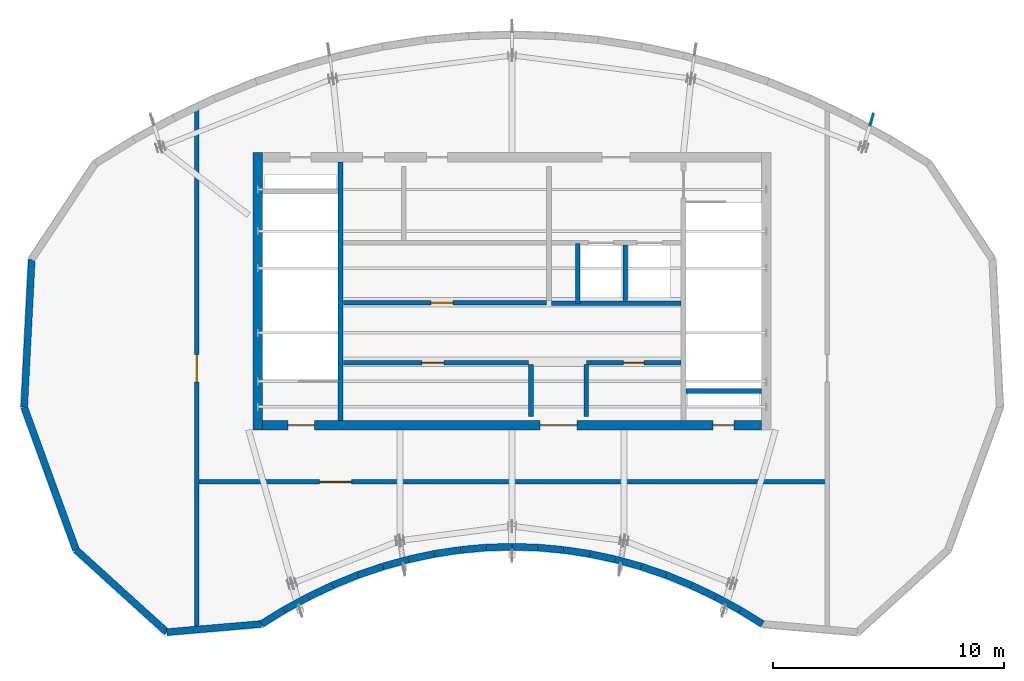
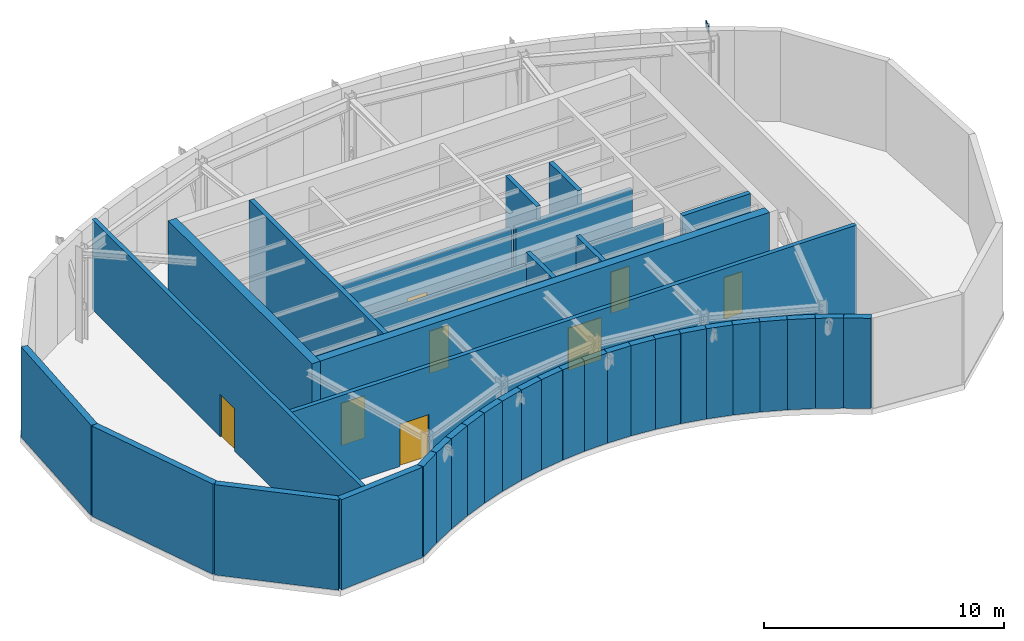
# One storey, part 4 of 6: 38 walls, 8 doors, 1 plate, 8 openings.
"""IFC4 building model written with IfcOpenShell, lengths in metres."""

import ifcopenshell
import ifcopenshell.guid

model = None  # the IFC model being written
_history = None  # IfcOwnerHistory: only IFC2X3 demands one
_inside = {}  # id of a spatial element -> (the spatial element, [elements in it])
_under = {}  # id of a project, library or spatial element -> (it, [spatial elements below it])
_declared = {}  # id of a project -> (the project, [libraries it declares])
_typed = {}  # id of a type object -> (the type object, [elements of that type])
_made_of = {}  # id of a material, layer set ... -> (it, [elements and type objects made of it])


def new_model(schema):
    """Start an empty IFC model of exactly this schema.

    Asked for "IFC4X3", IfcOpenShell would pick the latest addendum, in which some entities
    have other attributes; the version numbers below select the first issue.
    IFC2X3 requires an IfcOwnerHistory on every rooted entity: one is made here for all.
    """
    global model, _history
    if schema == "IFC4X3":
        model = ifcopenshell.file(schema_version=(4, 3, 0, 0))
    else:
        model = ifcopenshell.file(schema=schema)
    _inside.clear()
    _under.clear()
    _declared.clear()
    _typed.clear()
    _made_of.clear()
    _history = None
    if model.schema == "IFC2X3":
        org = make("IfcOrganization", Name="unknown")
        user = make(
            "IfcPersonAndOrganization",
            ThePerson=make("IfcPerson", FamilyName="unknown"),
            TheOrganization=org,
        )
        app = make(
            "IfcApplication",
            ApplicationDeveloper=org,
            Version="unknown",
            ApplicationFullName="unknown",
            ApplicationIdentifier="unknown",
        )
        _history = make(
            "IfcOwnerHistory",
            OwningUser=user,
            OwningApplication=app,
            ChangeAction="ADDED",
            CreationDate=0,
        )
    return model


def make(cls, **values):
    """One entity of the class cls with the attributes given. An attribute that is None is left unset."""
    return model.create_entity(
        cls, **{name: value for name, value in values.items() if value is not None}
    )


def rooted(cls, **values):
    """An entity with a GlobalId (a new one), such as an element, a storey or a relation."""
    return make(cls, GlobalId=ifcopenshell.guid.new(), OwnerHistory=_history, **values)


def si_unit(unit_type, name, prefix=None):
    """IfcSIUnit, for example si_unit("LENGTHUNIT", "METRE", prefix="MILLI")."""
    return make("IfcSIUnit", UnitType=unit_type, Prefix=prefix, Name=name)


def assignment(units):
    """IfcUnitAssignment: the units of a project."""
    return None if units is None else make("IfcUnitAssignment", Units=units)


def point(xyz):
    """IfcCartesianPoint."""
    return None if xyz is None else make("IfcCartesianPoint", Coordinates=xyz)


def direction(xyz):
    """IfcDirection."""
    return None if xyz is None else make("IfcDirection", DirectionRatios=xyz)


def frame(location, z_axis=None, x_axis=None):
    """IfcAxis2Placement3D, a coordinate frame: its origin and axes. An axis left out is left unset."""
    return make(
        "IfcAxis2Placement3D",
        Location=point(location),
        Axis=direction(z_axis),
        RefDirection=direction(x_axis),
    )


def frame_2d(location, x_axis=None):
    """IfcAxis2Placement2D, a coordinate frame in the plane: its origin and x axis."""
    return make(
        "IfcAxis2Placement2D", Location=point(location), RefDirection=direction(x_axis)
    )


def origin():
    """The frame at (0, 0, 0) with its axes left unset."""
    return frame((0.0, 0.0, 0.0))


def origin_2d():
    """The frame at (0, 0) in the plane with its x axis left unset."""
    return frame_2d((0.0, 0.0))


def place(relative_to, where):
    """IfcLocalPlacement: puts the frame where relative to a parent placement (None: the world)."""
    return make(
        "IfcLocalPlacement", PlacementRelTo=relative_to, RelativePlacement=where
    )


def context(
    kind, dimensions, precision=None, world=None, true_north=None, identifier=None
):
    """IfcGeometricRepresentationContext, for example the 3D "Model" context."""
    return make(
        "IfcGeometricRepresentationContext",
        ContextIdentifier=identifier,
        ContextType=kind,
        CoordinateSpaceDimension=dimensions,
        Precision=precision,
        WorldCoordinateSystem=world,
        TrueNorth=true_north,
    )


def subcontext(parent, identifier, kind, view, scale=None):
    """IfcGeometricRepresentationSubContext, for example "Body" below "Model"."""
    return make(
        "IfcGeometricRepresentationSubContext",
        ContextIdentifier=identifier,
        ContextType=kind,
        ParentContext=parent,
        TargetScale=scale,
        TargetView=view,
    )


def project(units=None, contexts=None):
    """IfcProject with its units and contexts."""
    return rooted(
        "IfcProject",
        Name="project",
        RepresentationContexts=contexts,
        UnitsInContext=assignment(units),
    )


def spatial(cls, under=None, at=None, **own):
    """A site, building, storey or space (cls), placed at a placement, below another one or the project."""
    s = rooted(cls, ObjectPlacement=at, **own)
    if under is not None:
        _under.setdefault(under.id(), (under, []))[1].append(s)
    return s


def profile(cls, at=None, kind="AREA", **sizes):
    """A parametric profile (cls). Its sizes go by their IFC names, for example OverallWidth=200.0."""
    return make(cls, ProfileType=kind, Position=at, **sizes)


def rectangle(**sizes):
    """IfcRectangleProfileDef."""
    return profile("IfcRectangleProfileDef", **sizes)


def extrude(swept, where, along, depth):
    """IfcExtrudedAreaSolid: the profile swept, set in the frame where, extruded along a direction by depth."""
    return make(
        "IfcExtrudedAreaSolid",
        SweptArea=swept,
        Position=where,
        ExtrudedDirection=direction(along),
        Depth=depth,
    )


def shape(context_of_items, identifier, shape_type, items):
    """IfcShapeRepresentation: the items that make up one representation, for example the "Body"."""
    return make(
        "IfcShapeRepresentation",
        ContextOfItems=context_of_items,
        RepresentationIdentifier=identifier,
        RepresentationType=shape_type,
        Items=items,
    )


def source(mapping_origin, context_of_items, identifier, shape_type, items):
    """IfcRepresentationMap: a shape defined once, which mapped items show again and again."""
    return make(
        "IfcRepresentationMap",
        MappingOrigin=mapping_origin,
        MappedRepresentation=shape(context_of_items, identifier, shape_type, items),
    )


def transform(
    local_origin,
    x_axis=None,
    y_axis=None,
    z_axis=None,
    scale=None,
    scale2=None,
    scale3=None,
    uniform=True,
):
    """IfcCartesianTransformationOperator3D, or its non-uniform kind. x_axis, y_axis, z_axis: its Axis1, 2, 3."""
    if uniform:
        return make(
            "IfcCartesianTransformationOperator3D",
            Axis1=direction(x_axis),
            Axis2=direction(y_axis),
            LocalOrigin=point(local_origin),
            Scale=scale,
            Axis3=direction(z_axis),
        )
    return make(
        "IfcCartesianTransformationOperator3DnonUniform",
        Axis1=direction(x_axis),
        Axis2=direction(y_axis),
        LocalOrigin=point(local_origin),
        Scale=scale,
        Axis3=direction(z_axis),
        Scale2=scale2,
        Scale3=scale3,
    )


def mapped(mapping_source, mapping_target):
    """IfcMappedItem: shows the shape of a source again, moved by a transform."""
    return make(
        "IfcMappedItem", MappingSource=mapping_source, MappingTarget=mapping_target
    )


def material(Name=None, Category=None):
    """IfcMaterial."""
    return make("IfcMaterial", Name=Name, Category=Category)


def layer(
    of_material, thickness, ventilated=None, Name=None, Category=None, Priority=None
):
    """IfcMaterialLayer: one layer of a wall or slab, of a material (None: an air gap)."""
    return make(
        "IfcMaterialLayer",
        Material=of_material,
        LayerThickness=thickness,
        IsVentilated=ventilated,
        Name=Name,
        Category=Category,
        Priority=Priority,
    )


def layer_set(layers, Name=None):
    """IfcMaterialLayerSet."""
    return make("IfcMaterialLayerSet", MaterialLayers=layers, LayerSetName=Name)


def made_of(thing, what):
    """Note that an element or type object is made of a material, layer set ...; save() writes the relation."""
    if what is not None:
        _made_of.setdefault(what.id(), (what, []))[1].append(thing)
    return thing


def type_object(cls, material=None, **own):
    """A type object (cls), such as IfcWallType, which elements share."""
    return made_of(rooted(cls, **own), material)


def type_shapes(of_type, sources):
    """Give a type object the sources (RepresentationMaps) that its elements show as mapped items."""
    of_type.RepresentationMaps = sources


def element(
    cls,
    number,
    at=None,
    inside=None,
    cuts=None,
    type_object=None,
    material=None,
    context=None,
    identifier="Body",
    shape_type=None,
    held_by="IfcProductDefinitionShape",
    body=None,
    shapes=None,
    **own,
):
    """One element of the class cls, such as IfcWall. Its Tag is "e" and its number.

    at: its placement. inside: the storey or other place that contains it. cuts: it is an
    opening in that element (IfcRelVoidsElement). A single representation is given by context,
    identifier, shape_type and body (its items); several are given by shapes. held_by: the class
    of the entity that holds the representations. save() writes the other relations.
    """
    e = rooted(cls, Tag="e%d" % number, ObjectPlacement=at, **own)
    if body is not None:
        shapes = [shape(context, identifier, shape_type, body)]
    if shapes is not None:
        e.Representation = make(held_by, Representations=shapes)
    if inside is not None:
        _inside.setdefault(inside.id(), (inside, []))[1].append(e)
    if cuts is not None:
        rooted(
            "IfcRelVoidsElement", RelatingBuildingElement=cuts, RelatedOpeningElement=e
        )
    if type_object is not None:
        _typed.setdefault(type_object.id(), (type_object, []))[1].append(e)
    return made_of(e, material)


def fill(opening, filler):
    """IfcRelFillsElement: the door or window that sits in an opening."""
    return rooted(
        "IfcRelFillsElement",
        RelatingOpeningElement=opening,
        RelatedBuildingElement=filler,
    )


def aggregate(whole, parts):
    """IfcRelAggregates: a whole, such as a stair, and the parts it consists of."""
    return rooted("IfcRelAggregates", RelatingObject=whole, RelatedObjects=parts)


def save(model, path):
    """Write the relations noted so far, then the file.

    IfcRelAggregates (storeys below a building ...), IfcRelContainedInSpatialStructure (elements
    in a storey), IfcRelDefinesByType, IfcRelAssociatesMaterial and IfcRelDeclares: one each for
    every whole, place, type object, material and project.
    """
    for whole, parts in _under.values():
        aggregate(whole, parts)
    for where, things in _inside.values():
        rooted(
            "IfcRelContainedInSpatialStructure",
            RelatedElements=things,
            RelatingStructure=where,
        )
    for kind, things in _typed.values():
        rooted("IfcRelDefinesByType", RelatedObjects=things, RelatingType=kind)
    for what, things in _made_of.values():
        rooted("IfcRelAssociatesMaterial", RelatedObjects=things, RelatingMaterial=what)
    for by, libraries in _declared.values():
        rooted("IfcRelDeclares", RelatingContext=by, RelatedDefinitions=libraries)
    model.write(path)


model = new_model("IFC4")

# Units and contexts
model_context = context("Model", 3, precision=1e-05, world=origin(), true_north=direction((0.0, 1.0)))
body_context = subcontext(model_context, "Body", "Model", "MODEL_VIEW")
ifc_project = project(units=[si_unit("LENGTHUNIT", "METRE"), si_unit("AREAUNIT", "SQUARE_METRE"), si_unit("VOLUMEUNIT", "CUBIC_METRE"), si_unit("PLANEANGLEUNIT", "RADIAN"), si_unit("MASSUNIT", "GRAM", prefix="KILO")], contexts=[model_context])

# Site, building, storey
site_placement = place(None, origin())
site = spatial("IfcSite", under=ifc_project, at=site_placement, CompositionType="ELEMENT")
building_placement = place(site_placement, origin())
building = spatial("IfcBuilding", under=site, at=building_placement, Name="Breltana Convention Tower", CompositionType="ELEMENT")
storey_placement = place(building_placement, frame((0.0, 0.0, 323.39990234375)))
storey = spatial("IfcBuildingStorey", under=building, at=storey_placement, Name="L78", CompositionType="ELEMENT", Elevation=323.39990234375)

# Plate
ifc_material_1 = material(Name="Steel S355", Category="steel")
ifc_layer_1 = layer(ifc_material_1, 0.0400390625, Name="Steel S355")
ifc_layer_set_1 = layer_set([ifc_layer_1], Name="Steel S355")
plate_type = type_object("IfcPlateType", Name="PL-GUSSET-40", PredefinedType="USERDEFINED", material=ifc_layer_set_1)
shared_shape_1 = source(origin(), body_context, "Body", "SweptSolid", [
    extrude(rectangle(XDim=0.52001953125, YDim=0.0400390625, at=origin_2d()), origin(), (0.0, 0.0, 1.0), 0.360107421875),
])
plate_placement = place(storey_placement, frame((63.56494140625, 73.622802734375, 4.22998046875), z_axis=(0.0, 0.0, 1.0), x_axis=(0.288697611798, 0.957420330337, 0.0)))
element("IfcPlate", 1, at=plate_placement, inside=storey, type_object=plate_type, Name="L78 Structural Brace Node Gusset Plate 020", ObjectType="GUSSET_PLATE", PredefinedType="USERDEFINED", context=body_context, shape_type="MappedRepresentation", body=[
    mapped(shared_shape_1, transform((0.0, 0.0, 0.0), scale=1.0)),
])

# Walls
ifc_material_2 = material(Name="Concrete C50/60", Category="concrete")
ifc_layer_2 = layer(ifc_material_2, 0.39990234375, Name="Concrete C50/60")
ifc_layer_set_2 = layer_set([ifc_layer_2], Name="Concrete C50/60")
wall_type_1 = type_object("IfcWallType", Name="SW-CORE-400", PredefinedType="SHEAR", material=ifc_layer_set_2)
shared_shape_2 = source(origin(), body_context, "Body", "SweptSolid", [
    extrude(rectangle(XDim=3.27001953125, YDim=0.219970703125, at=frame_2d((1.635009765625, 0.0))), origin(), (0.0, 0.0, 1.0), 4.800048828125),
])
wall_1_placement = place(storey_placement, frame((55.530029296875, 61.889892578125, 0.0), z_axis=(0.0, 0.0, 1.0), x_axis=(1.0, 0.0, 0.0)))
element("IfcWall", 2, at=wall_1_placement, inside=storey, type_object=wall_type_1, Name="L78 ST-2 Stairwell South Bearing Wall", PredefinedType="SHEAR", context=body_context, shape_type="MappedRepresentation", body=[
    mapped(shared_shape_2, transform((0.0, 0.0, 0.0), scale=1.0)),
])
shared_shape_3 = source(origin(), body_context, "Body", "SweptSolid", [
    extrude(rectangle(XDim=12.0, YDim=0.39990234375, at=frame_2d((6.0, 0.0))), origin(), (0.0, 0.0, 1.0), 4.800048828125),
])
wall_2_placement = place(storey_placement, frame((37.0, 60.199951171875, 0.0), z_axis=(0.0, 0.0, 1.0), x_axis=(0.0, 1.0, 0.0)))
element("IfcWall", 3, at=wall_2_placement, inside=storey, type_object=wall_type_1, Name="L78 West Core Shear Wall", PredefinedType="SHEAR", context=body_context, shape_type="MappedRepresentation", body=[
    mapped(shared_shape_3, transform((0.0, 0.0, 0.0), scale=1.0)),
])

# Wall, openings, doors
shared_shape_4 = source(origin(), body_context, "Body", "SweptSolid", [
    extrude(rectangle(XDim=21.60009765625, YDim=0.39990234375, at=frame_2d((10.800048828125, 0.0))), origin(), (0.0, 0.0, 1.0), 4.800048828125),
])
wall_3_placement = place(storey_placement, frame((37.199951171875, 60.39990234375, 0.0), z_axis=(0.0, 0.0, 1.0), x_axis=(1.0, 0.0, 0.0)))
wall_3 = element("IfcWall", 4, at=wall_3_placement, inside=storey, type_object=wall_type_1, Name="L78 South Core Shear Wall", PredefinedType="SHEAR", context=body_context, shape_type="MappedRepresentation", body=[
    mapped(shared_shape_4, transform((0.0, 0.0, 0.0), scale=1.0)),
])
opening_1_placement = place(wall_3_placement, frame((1.10009765625, 0.0, 0.0)))
opening_1 = element("IfcOpeningElement", 5, at=opening_1_placement, cuts=wall_3, Name="Opening D-11", PredefinedType="OPENING", context=body_context, shape_type="SweptSolid", body=[
    extrude(rectangle(XDim=1.14990234375, YDim=2.14990234375, at=frame_2d((0.574951171875, 1.074951171875))), frame((0.0, 0.2099609375, 0.0), z_axis=(0.0, -1.0, 0.0), x_axis=(1.0, 0.0, 0.0)), (0.0, 0.0, 1.0), 0.419921875),
])
opening_2_placement = place(wall_3_placement, frame((19.5, 0.0, 0.0)))
opening_2 = element("IfcOpeningElement", 6, at=opening_2_placement, cuts=wall_3, Name="Opening D-18", PredefinedType="OPENING", context=body_context, shape_type="SweptSolid", body=[
    extrude(rectangle(XDim=0.89990234375, YDim=2.10009765625, at=frame_2d((0.449951171875, 1.050048828125))), frame((0.0, 0.2099609375, 0.0), z_axis=(0.0, -1.0, 0.0), x_axis=(1.0, 0.0, 0.0)), (0.0, 0.0, 1.0), 0.419921875),
])
opening_3_placement = place(wall_3_placement, frame((12.02001953125, 0.0, 0.0)))
opening_3 = element("IfcOpeningElement", 7, at=opening_3_placement, cuts=wall_3, Name="Opening D-02", PredefinedType="OPENING", context=body_context, shape_type="SweptSolid", body=[
    extrude(rectangle(XDim=1.60009765625, YDim=2.14990234375, at=frame_2d((0.800048828125, 1.074951171875))), frame((0.0, 0.2099609375, 0.0), z_axis=(0.0, -1.0, 0.0), x_axis=(1.0, 0.0, 0.0)), (0.0, 0.0, 1.0), 0.419921875),
])
ifc_material_3 = material(Name="Steel Stair Exit Door", Category="steel")
door_type_1 = type_object("IfcDoorType", Name="DR-FD120-1150", OperationType="NOTDEFINED", PredefinedType="DOOR", material=ifc_material_3)
shared_shape_5 = source(origin(), body_context, "Body", "SweptSolid", [
    extrude(rectangle(XDim=1.14990234375, YDim=2.14990234375, at=frame_2d((0.574951171875, 1.074951171875))), frame((0.0, 0.02490234375, 0.0), z_axis=(0.0, -1.0, 0.0), x_axis=(1.0, 0.0, 0.0)), (0.0, 0.0, 1.0), 0.050048828125),
])
type_shapes(door_type_1, [shared_shape_5])
door_1_placement = place(opening_1_placement, origin())
door_1 = element("IfcDoor", 8, at=door_1_placement, inside=storey, type_object=door_type_1, Name="L78 interior door D-L78-ST1", OperationType="SINGLE_SWING_LEFT", OverallHeight=2.14990234375, OverallWidth=1.14990234375, PredefinedType="DOOR", context=body_context, shape_type="MappedRepresentation", body=[
    mapped(shared_shape_5, transform((0.0, 0.0, 0.0), scale=1.0)),
])
fill(opening_1, door_1)
ifc_material_4 = material(Name="Steel Riser Fire Door", Category="steel")
door_type_2 = type_object("IfcDoorType", Name="DR-FD60-900", OperationType="NOTDEFINED", PredefinedType="DOOR", material=ifc_material_4)
shared_shape_6 = source(origin(), body_context, "Body", "SweptSolid", [
    extrude(rectangle(XDim=0.89990234375, YDim=2.10009765625, at=frame_2d((0.449951171875, 1.050048828125))), frame((0.0, 0.02490234375, 0.0), z_axis=(0.0, -1.0, 0.0), x_axis=(1.0, 0.0, 0.0)), (0.0, 0.0, 1.0), 0.050048828125),
])
type_shapes(door_type_2, [shared_shape_6])
door_2_placement = place(opening_2_placement, origin())
door_2 = element("IfcDoor", 9, at=door_2_placement, inside=storey, type_object=door_type_2, Name="L78 Core Riser Access Door D-L78-RS2", OperationType="SINGLE_SWING_RIGHT", OverallHeight=2.10009765625, OverallWidth=0.89990234375, PredefinedType="DOOR", context=body_context, shape_type="MappedRepresentation", body=[
    mapped(shared_shape_6, transform((0.0, 0.0, 0.0), scale=1.0)),
])
fill(opening_2, door_2)
ifc_material_5 = material(Name="Steel Glazed Smoke-Control Door", Category="steel")
door_type_3 = type_object("IfcDoorType", Name="DR-DBL-FD90-1600", OperationType="DOUBLE_DOOR_SINGLE_SWING", PredefinedType="DOOR", material=ifc_material_5)
shared_shape_7 = source(origin(), body_context, "Body", "SweptSolid", [
    extrude(rectangle(XDim=1.60009765625, YDim=2.14990234375, at=frame_2d((0.800048828125, 1.074951171875))), frame((0.0, 0.02490234375, 0.0), z_axis=(0.0, -1.0, 0.0), x_axis=(1.0, 0.0, 0.0)), (0.0, 0.0, 1.0), 0.050048828125),
])
type_shapes(door_type_3, [shared_shape_7])
door_3_placement = place(opening_3_placement, origin())
door_3 = element("IfcDoor", 10, at=door_3_placement, inside=storey, type_object=door_type_3, Name="L78 interior door D-L78-LLB-S", OperationType="DOUBLE_DOOR_SINGLE_SWING", OverallHeight=2.14990234375, OverallWidth=1.60009765625, PredefinedType="DOOR", context=body_context, shape_type="MappedRepresentation", body=[
    mapped(shared_shape_7, transform((0.0, 0.0, 0.0), scale=1.0)),
])
fill(opening_3, door_3)

# Walls
shared_shape_8 = source(origin(), body_context, "Body", "SweptSolid", [
    extrude(rectangle(XDim=11.199951171875, YDim=0.219970703125, at=frame_2d((5.60009765625, 0.0))), origin(), (0.0, 0.0, 1.0), 4.800048828125),
])
wall_4_placement = place(storey_placement, frame((40.580078125, 60.60009765625, 0.0), z_axis=(0.0, 0.0, 1.0), x_axis=(0.0, 1.0, 0.0)))
element("IfcWall", 11, at=wall_4_placement, inside=storey, type_object=wall_type_1, Name="L78 Core West Stair Spine Wall", PredefinedType="SHEAR", context=body_context, shape_type="MappedRepresentation", body=[
    mapped(shared_shape_8, transform((0.0, 0.0, 0.0), scale=1.0)),
])
ifc_material_6 = material(Name="Limestone Buff Insulated Wall", Category="masonry")
ifc_layer_3 = layer(ifc_material_6, 0.300048828125, Name="Limestone Buff Insulated Wall")
ifc_layer_set_3 = layer_set([ifc_layer_3], Name="Limestone Buff Insulated Wall")
wall_type_2 = type_object("IfcWallType", Name="WL-EXT-CRN-300", PredefinedType="SOLIDWALL", material=ifc_layer_set_3)
shared_shape_9 = source(origin(), body_context, "Body", "SweptSolid", [
    extrude(rectangle(XDim=6.39990234375, YDim=0.300048828125, at=frame_2d((3.199951171875, 0.0))), origin(), (0.0, 0.0, 1.0), 4.590087890625),
])
wall_5_placement = place(storey_placement, frame((26.893310546875, 61.183349609375, 0.0), z_axis=(0.0, 0.0, 1.0), x_axis=(0.050888906156, 0.998704320222, 0.0)))
element("IfcWall", 12, at=wall_5_placement, inside=storey, type_object=wall_type_2, Name="L78 mechanical limestone enclosure wall 48", PredefinedType="SOLIDWALL", context=body_context, shape_type="MappedRepresentation", body=[
    mapped(shared_shape_9, transform((0.0, 0.0, 0.0), scale=1.0)),
])
shared_shape_10 = source(origin(), body_context, "Body", "SweptSolid", [
    extrude(rectangle(XDim=6.572998046875, YDim=0.300048828125, at=frame_2d((3.28662109375, 0.0))), origin(), (0.0, 0.0, 1.0), 4.590087890625),
])
wall_6_placement = place(storey_placement, frame((29.141357421875, 55.0068359375, 0.0), z_axis=(0.0, 0.0, 1.0), x_axis=(-0.342017422465, 0.939693611094, 0.0)))
element("IfcWall", 13, at=wall_6_placement, inside=storey, type_object=wall_type_2, Name="L78 mechanical limestone enclosure wall 47", PredefinedType="SOLIDWALL", context=body_context, shape_type="MappedRepresentation", body=[
    mapped(shared_shape_10, transform((0.0, 0.0, 0.0), scale=1.0)),
])
shared_shape_11 = source(origin(), body_context, "Body", "SweptSolid", [
    extrude(rectangle(XDim=5.2939453125, YDim=0.300048828125, at=frame_2d((2.64697265625, 0.0))), origin(), (0.0, 0.0, 1.0), 4.590087890625),
])
wall_7_placement = place(storey_placement, frame((33.0625, 51.4501953125, 0.0), z_axis=(0.0, 0.0, 1.0), x_axis=(-0.740695017527, 0.671841418052, 0.0)))
element("IfcWall", 14, at=wall_7_placement, inside=storey, type_object=wall_type_2, Name="L78 mechanical limestone enclosure wall 46", PredefinedType="SOLIDWALL", context=body_context, shape_type="MappedRepresentation", body=[
    mapped(shared_shape_11, transform((0.0, 0.0, 0.0), scale=1.0)),
])
shared_shape_12 = source(origin(), body_context, "Body", "SweptSolid", [
    extrude(rectangle(XDim=4.110595703125, YDim=0.300048828125, at=frame_2d((2.05517578125, 0.0))), origin(), (0.0, 0.0, 1.0), 4.590087890625),
])
wall_8_placement = place(storey_placement, frame((37.157958984375, 51.803466796875, 0.0), z_axis=(0.0, 0.0, 1.0), x_axis=(-0.996300298771, -0.085940180764, 0.0)))
element("IfcWall", 15, at=wall_8_placement, inside=storey, type_object=wall_type_2, Name="L78 mechanical limestone enclosure wall 45", PredefinedType="SOLIDWALL", context=body_context, shape_type="MappedRepresentation", body=[
    mapped(shared_shape_12, transform((0.0, 0.0, 0.0), scale=1.0)),
])
shared_shape_13 = source(origin(), body_context, "Body", "SweptSolid", [
    extrude(rectangle(XDim=1.1484375, YDim=0.300048828125, at=frame_2d((0.57421875, 0.0))), origin(), (0.0, 0.0, 1.0), 4.590087890625),
])
for number, where, z_axis, x_axis, name in (
    (16, (58.842041015625, 51.803466796875, 0.0), (0.0, 0.0, 1.0), (-0.851337023233, 0.524619169373, 0.0), "L78 mechanical limestone enclosure wall 6"),
    (17, (38.1357421875, 52.406005859375, 0.0), (0.0, 0.0, 1.0), (-0.851337023233, -0.524619169373, 0.0), "L78 mechanical limestone enclosure wall 44"),
):
    element("IfcWall", number, at=place(storey_placement, frame(where, z_axis=z_axis, x_axis=x_axis)), inside=storey, type_object=wall_type_2, Name=name, PredefinedType="SOLIDWALL", context=body_context, shape_type="MappedRepresentation", body=[
        mapped(shared_shape_13, transform((0.0, 0.0, 0.0), scale=1.0)),
    ])
shared_shape_14 = source(origin(), body_context, "Body", "SweptSolid", [
    extrude(rectangle(XDim=1.177490234375, YDim=0.300048828125, at=frame_2d((0.5888671875, 0.0))), origin(), (0.0, 0.0, 1.0), 4.590087890625),
])
for number, where, z_axis, x_axis, name in (
    (18, (57.855712890625, 52.410888671875, 0.0), (0.0, 0.0, 1.0), (-0.878378526195, 0.477965652238, 0.0), "L78 mechanical limestone enclosure wall 8"),
    (19, (39.178466796875, 52.9736328125, 0.0), (0.0, 0.0, 1.0), (-0.878378526195, -0.477965652238, 0.0), "L78 mechanical limestone enclosure wall 42"),
):
    element("IfcWall", number, at=place(storey_placement, frame(where, z_axis=z_axis, x_axis=x_axis)), inside=storey, type_object=wall_type_2, Name=name, PredefinedType="SOLIDWALL", context=body_context, shape_type="MappedRepresentation", body=[
        mapped(shared_shape_14, transform((0.0, 0.0, 0.0), scale=1.0)),
    ])
shared_shape_15 = source(origin(), body_context, "Body", "SweptSolid", [
    extrude(rectangle(XDim=1.164794921875, YDim=0.300048828125, at=frame_2d((0.58251953125, 0.0))), origin(), (0.0, 0.0, 1.0), 4.590087890625),
])
for number, where, z_axis, x_axis, name in (
    (20, (56.812744140625, 52.978271484375, 0.0), (0.0, 0.0, 1.0), (-0.903460211476, 0.428671956489, 0.0), "L78 mechanical limestone enclosure wall 10"),
    (21, (40.239501953125, 53.4775390625, 0.0), (0.0, 0.0, 1.0), (-0.903460211476, -0.428671956489, 0.0), "L78 mechanical limestone enclosure wall 40"),
):
    element("IfcWall", number, at=place(storey_placement, frame(where, z_axis=z_axis, x_axis=x_axis)), inside=storey, type_object=wall_type_2, Name=name, PredefinedType="SOLIDWALL", context=body_context, shape_type="MappedRepresentation", body=[
        mapped(shared_shape_15, transform((0.0, 0.0, 0.0), scale=1.0)),
    ])
shared_shape_16 = source(origin(), body_context, "Body", "SweptSolid", [
    extrude(rectangle(XDim=1.153076171875, YDim=0.300048828125, at=frame_2d((0.57666015625, 0.0))), origin(), (0.0, 0.0, 1.0), 4.590087890625),
])
for number, where, z_axis, x_axis, name in (
    (22, (55.751220703125, 53.481689453125, 0.0), (0.0, 0.0, 1.0), (-0.926166327655, 0.377115278819, 0.0), "L78 mechanical limestone enclosure wall 12"),
    (23, (41.316650390625, 53.91650390625, 0.0), (0.0, 0.0, 1.0), (-0.926166327655, -0.377115278819, 0.0), "L78 mechanical limestone enclosure wall 38"),
):
    element("IfcWall", number, at=place(storey_placement, frame(where, z_axis=z_axis, x_axis=x_axis)), inside=storey, type_object=wall_type_2, Name=name, PredefinedType="SOLIDWALL", context=body_context, shape_type="MappedRepresentation", body=[
        mapped(shared_shape_16, transform((0.0, 0.0, 0.0), scale=1.0)),
    ])
shared_shape_17 = source(origin(), body_context, "Body", "SweptSolid", [
    extrude(rectangle(XDim=1.142822265625, YDim=0.300048828125, at=frame_2d((0.5712890625, 0.0))), origin(), (0.0, 0.0, 1.0), 4.590087890625),
])
for number, where, z_axis, x_axis, name in (
    (24, (54.673583984375, 53.919921875, 0.0), (0.0, 0.0, 1.0), (-0.946329141, 0.323204512491, 0.0), "L78 mechanical limestone enclosure wall 14"),
    (25, (42.407958984375, 54.289306640625, 0.0), (0.0, 0.0, 1.0), (-0.946329141, -0.323204512491, 0.0), "L78 mechanical limestone enclosure wall 36"),
):
    element("IfcWall", number, at=place(storey_placement, frame(where, z_axis=z_axis, x_axis=x_axis)), inside=storey, type_object=wall_type_2, Name=name, PredefinedType="SOLIDWALL", context=body_context, shape_type="MappedRepresentation", body=[
        mapped(shared_shape_17, transform((0.0, 0.0, 0.0), scale=1.0)),
    ])
shared_shape_18 = source(origin(), body_context, "Body", "SweptSolid", [
    extrude(rectangle(XDim=1.134033203125, YDim=0.300048828125, at=frame_2d((0.56689453125, 0.0))), origin(), (0.0, 0.0, 1.0), 4.590087890625),
])
for number, where, z_axis, x_axis, name in (
    (26, (53.581787109375, 54.29248046875, 0.0), (0.0, 0.0, 1.0), (-0.96359189445, 0.267377375538, 0.0), "L78 mechanical limestone enclosure wall 16"),
    (27, (43.510986328125, 54.595703125, 0.0), (0.0, 0.0, 1.0), (-0.96359189445, -0.267377375538, 0.0), "L78 mechanical limestone enclosure wall 34"),
):
    element("IfcWall", number, at=place(storey_placement, frame(where, z_axis=z_axis, x_axis=x_axis)), inside=storey, type_object=wall_type_2, Name=name, PredefinedType="SOLIDWALL", context=body_context, shape_type="MappedRepresentation", body=[
        mapped(shared_shape_18, transform((0.0, 0.0, 0.0), scale=1.0)),
    ])
shared_shape_19 = source(origin(), body_context, "Body", "SweptSolid", [
    extrude(rectangle(XDim=1.127197265625, YDim=0.300048828125, at=frame_2d((0.5634765625, 0.0))), origin(), (0.0, 0.0, 1.0), 4.590087890625),
])
for number, where, z_axis, x_axis, name in (
    (28, (52.478515625, 54.598388671875, 0.0), (0.0, 0.0, 1.0), (-0.977726275961, 0.20988408538, 0.0), "L78 mechanical limestone enclosure wall 18"),
    (29, (44.62353515625, 54.8349609375, 0.0), (0.0, 0.0, 1.0), (-0.977726275961, -0.20988408538, 0.0), "L78 mechanical limestone enclosure wall 32"),
):
    element("IfcWall", number, at=place(storey_placement, frame(where, z_axis=z_axis, x_axis=x_axis)), inside=storey, type_object=wall_type_2, Name=name, PredefinedType="SOLIDWALL", context=body_context, shape_type="MappedRepresentation", body=[
        mapped(shared_shape_19, transform((0.0, 0.0, 0.0), scale=1.0)),
    ])
shared_shape_20 = source(origin(), body_context, "Body", "SweptSolid", [
    extrude(rectangle(XDim=1.121826171875, YDim=0.300048828125, at=frame_2d((0.56103515625, 0.0))), origin(), (0.0, 0.0, 1.0), 4.590087890625),
])
for number, where, z_axis, x_axis, name in (
    (30, (51.36572265625, 54.8369140625, 0.0), (0.0, 0.0, 1.0), (-0.98855964909, 0.150830435231, 0.0), "L78 mechanical limestone enclosure wall 20"),
    (31, (45.7431640625, 55.006103515625, 0.0), (0.0, 0.0, 1.0), (-0.98855964909, -0.150830435231, 0.0), "L78 mechanical limestone enclosure wall 30"),
):
    element("IfcWall", number, at=place(storey_placement, frame(where, z_axis=z_axis, x_axis=x_axis)), inside=storey, type_object=wall_type_2, Name=name, PredefinedType="SOLIDWALL", context=body_context, shape_type="MappedRepresentation", body=[
        mapped(shared_shape_20, transform((0.0, 0.0, 0.0), scale=1.0)),
    ])
shared_shape_21 = source(origin(), body_context, "Body", "SweptSolid", [
    extrude(rectangle(XDim=1.118408203125, YDim=0.300048828125, at=frame_2d((0.55908203125, 0.0))), origin(), (0.0, 0.0, 1.0), 4.590087890625),
])
for number, where, z_axis, x_axis, name in (
    (32, (50.24609375, 55.007568359375, 0.0), (0.0, 0.0, 1.0), (-0.995848352933, 0.091027786754, 0.0), "L78 mechanical limestone enclosure wall 22"),
    (33, (46.86767578125, 55.109375, 0.0), (0.0, 0.0, 1.0), (-0.995848352933, -0.091027786754, 0.0), "L78 mechanical limestone enclosure wall 28"),
):
    element("IfcWall", number, at=place(storey_placement, frame(where, z_axis=z_axis, x_axis=x_axis)), inside=storey, type_object=wall_type_2, Name=name, PredefinedType="SOLIDWALL", context=body_context, shape_type="MappedRepresentation", body=[
        mapped(shared_shape_21, transform((0.0, 0.0, 0.0), scale=1.0)),
    ])
shared_shape_22 = source(origin(), body_context, "Body", "SweptSolid", [
    extrude(rectangle(XDim=1.1162109375, YDim=0.300048828125, at=frame_2d((0.55810546875, 0.0))), origin(), (0.0, 0.0, 1.0), 4.590087890625),
])
for number, where, z_axis, x_axis, name in (
    (34, (49.121337890625, 55.110107421875, 0.0), (0.0, 0.0, 1.0), (-0.99954438408, 0.030183178338, 0.0), "L78 mechanical limestone enclosure wall 24"),
    (35, (47.994384765625, 55.143798828125, 0.0), (0.0, 0.0, 1.0), (-0.99954438408, -0.030183178338, 0.0), "L78 mechanical limestone enclosure wall 26"),
):
    element("IfcWall", number, at=place(storey_placement, frame(where, z_axis=z_axis, x_axis=x_axis)), inside=storey, type_object=wall_type_2, Name=name, PredefinedType="SOLIDWALL", context=body_context, shape_type="MappedRepresentation", body=[
        mapped(shared_shape_22, transform((0.0, 0.0, 0.0), scale=1.0)),
    ])
ifc_material_7 = material(Name="Autoclaved Aerated Concrete Block", Category="concrete")
ifc_layer_4 = layer(ifc_material_7, 0.199951171875, Name="Autoclaved Aerated Concrete Block")
ifc_layer_set_4 = layer_set([ifc_layer_4], Name="Autoclaved Aerated Concrete Block")
wall_type_3 = type_object("IfcWallType", Name="WL-SHAFT-200", PredefinedType="SOLIDWALL", material=ifc_layer_set_4)
shared_shape_23 = source(origin(), body_context, "Body", "SweptSolid", [
    extrude(rectangle(XDim=2.239990234375, YDim=0.199951171875, at=frame_2d((1.1201171875, 0.0))), origin(), (0.0, 0.0, 1.0), 4.590087890625),
])
for number, where, z_axis, x_axis, name in (
    (36, (48.820068359375, 60.780029296875, 0.0), (0.0, 0.0, 1.0), (0.0, 1.0, 0.0), "L78 interior partition W-L78-PORT-W"),
    (37, (51.219970703125, 60.780029296875, 0.0), (0.0, 0.0, 1.0), (0.0, 1.0, 0.0), "L78 interior partition W-L78-PORT-E"),
):
    element("IfcWall", number, at=place(storey_placement, frame(where, z_axis=z_axis, x_axis=x_axis)), inside=storey, type_object=wall_type_3, Name=name, PredefinedType="SOLIDWALL", context=body_context, shape_type="MappedRepresentation", body=[
        mapped(shared_shape_23, transform((0.0, 0.0, 0.0), scale=1.0)),
    ])
shared_shape_24 = source(origin(), body_context, "Body", "SweptSolid", [
    extrude(rectangle(XDim=2.580078125, YDim=0.199951171875, at=frame_2d((1.2900390625, 0.0))), origin(), (0.0, 0.0, 1.0), 4.590087890625),
])
wall_9_placement = place(storey_placement, frame((50.85009765625, 65.679931640625, 0.0), z_axis=(0.0, 0.0, 1.0), x_axis=(0.0, 1.0, 0.0)))
element("IfcWall", 38, at=wall_9_placement, inside=storey, type_object=wall_type_3, Name="L78 interior partition W-L78-FL-W", PredefinedType="SOLIDWALL", context=body_context, shape_type="MappedRepresentation", body=[
    mapped(shared_shape_24, transform((0.0, 0.0, 0.0), scale=1.0)),
])
shared_shape_25 = source(origin(), body_context, "Body", "SweptSolid", [
    extrude(rectangle(XDim=2.39990234375, YDim=0.199951171875, at=frame_2d((1.199951171875, 0.0))), origin(), (0.0, 0.0, 1.0), 4.590087890625),
])
wall_10_placement = place(storey_placement, frame((52.89990234375, 65.800048828125, 0.0), z_axis=(0.0, 0.0, 1.0), x_axis=(0.0, 1.0, 0.0)))
element("IfcWall", 39, at=wall_10_placement, inside=storey, type_object=wall_type_3, Name="L78 interior partition W-L78-FL-DIV", PredefinedType="SOLIDWALL", context=body_context, shape_type="MappedRepresentation", body=[
    mapped(shared_shape_25, transform((0.0, 0.0, 0.0), scale=1.0)),
])
shared_shape_26 = source(origin(), body_context, "Body", "SweptSolid", [
    extrude(rectangle(XDim=5.6201171875, YDim=0.199951171875, at=frame_2d((2.81005859375, 0.0))), origin(), (0.0, 0.0, 1.0), 3.920166015625),
])
wall_11_placement = place(storey_placement, frame((49.699951171875, 65.679931640625, 0.0), z_axis=(0.0, 0.0, 1.0), x_axis=(1.0, 0.0, 0.0)))
element("IfcWall", 40, at=wall_11_placement, inside=storey, type_object=wall_type_3, Name="L78 interior partition W-L78-FL-S", PredefinedType="SOLIDWALL", context=body_context, shape_type="MappedRepresentation", body=[
    mapped(shared_shape_26, transform((0.0, 0.0, 0.0), scale=1.0)),
])

# Wall, opening, door
shared_shape_27 = source(origin(), body_context, "Body", "SweptSolid", [
    extrude(rectangle(XDim=8.02001953125, YDim=0.199951171875, at=frame_2d((4.010009765625, 0.0))), origin(), (0.0, 0.0, 1.0), 3.920166015625),
])
wall_12_placement = place(storey_placement, frame((40.699951171875, 63.10009765625, 0.0), z_axis=(0.0, 0.0, 1.0), x_axis=(1.0, 0.0, 0.0)))
wall_12 = element("IfcWall", 41, at=wall_12_placement, inside=storey, type_object=wall_type_3, Name="L78 interior partition W-L78-SH-S-FRONT", PredefinedType="SOLIDWALL", context=body_context, shape_type="MappedRepresentation", body=[
    mapped(shared_shape_27, transform((0.0, 0.0, 0.0), scale=1.0)),
])
opening_4_placement = place(wall_12_placement, frame((3.39990234375, 0.0, 0.0)))
opening_4 = element("IfcOpeningElement", 42, at=opening_4_placement, cuts=wall_12, Name="Opening D-14", PredefinedType="OPENING", context=body_context, shape_type="SweptSolid", body=[
    extrude(rectangle(XDim=0.949951171875, YDim=2.14990234375, at=frame_2d((0.47509765625, 1.074951171875))), frame((0.0, 0.10986328125, 0.0), z_axis=(0.0, -1.0, 0.0), x_axis=(1.0, 0.0, 0.0)), (0.0, 0.0, 1.0), 0.219970703125),
])
ifc_material_8 = material(Name="Timber Solid-Core Fire Door", Category="wood")
door_type_4 = type_object("IfcDoorType", Name="DR-FD60-950", OperationType="NOTDEFINED", PredefinedType="DOOR", material=ifc_material_8)
shared_shape_28 = source(origin(), body_context, "Body", "SweptSolid", [
    extrude(rectangle(XDim=0.949951171875, YDim=2.14990234375, at=frame_2d((0.47509765625, 1.074951171875))), frame((0.0, 0.02490234375, 0.0), z_axis=(0.0, -1.0, 0.0), x_axis=(1.0, 0.0, 0.0)), (0.0, 0.0, 1.0), 0.050048828125),
])
type_shapes(door_type_4, [shared_shape_28])
door_4_placement = place(opening_4_placement, origin())
door_4 = element("IfcDoor", 43, at=door_4_placement, inside=storey, type_object=door_type_4, Name="L78 interior door D-L78-LV7-B1A", OperationType="SINGLE_SWING_LEFT", OverallHeight=2.14990234375, OverallWidth=0.949951171875, PredefinedType="DOOR", context=body_context, shape_type="MappedRepresentation", body=[
    mapped(shared_shape_28, transform((0.0, 0.0, 0.0), scale=1.0)),
])
fill(opening_4, door_4)

shared_shape_29 = source(origin(), body_context, "Body", "SweptSolid", [
    extrude(rectangle(XDim=4.10009765625, YDim=0.199951171875, at=frame_2d((2.050048828125, 0.0))), origin(), (0.0, 0.0, 1.0), 3.920166015625),
])
wall_13_placement = place(storey_placement, frame((51.219970703125, 63.10009765625, 0.0), z_axis=(0.0, 0.0, 1.0), x_axis=(1.0, 0.0, 0.0)))
wall_13 = element("IfcWall", 44, at=wall_13_placement, inside=storey, type_object=wall_type_3, Name="L78 interior partition W-L78-SH-X-FRONT", PredefinedType="SOLIDWALL", context=body_context, shape_type="MappedRepresentation", body=[
    mapped(shared_shape_29, transform((0.0, 0.0, 0.0), scale=1.0)),
])
opening_5_placement = place(wall_13_placement, frame((1.60009765625, 0.0, 0.0)))
opening_5 = element("IfcOpeningElement", 45, at=opening_5_placement, cuts=wall_13, Name="Opening D-18", PredefinedType="OPENING", context=body_context, shape_type="SweptSolid", body=[
    extrude(rectangle(XDim=0.89990234375, YDim=2.10009765625, at=frame_2d((0.449951171875, 1.050048828125))), frame((0.0, 0.10986328125, 0.0), z_axis=(0.0, -1.0, 0.0), x_axis=(1.0, 0.0, 0.0)), (0.0, 0.0, 1.0), 0.219970703125),
])
door_5_placement = place(opening_5_placement, origin())
door_5 = element("IfcDoor", 46, at=door_5_placement, inside=storey, type_object=door_type_2, Name="L78 interior door D-L78-SH-X-RM", OperationType="SINGLE_SWING_RIGHT", OverallHeight=2.10009765625, OverallWidth=0.89990234375, PredefinedType="DOOR", context=body_context, shape_type="MappedRepresentation", body=[
    mapped(shared_shape_6, transform((0.0, 0.0, 0.0), scale=1.0)),
])
fill(opening_5, door_5)

shared_shape_30 = source(origin(), body_context, "Body", "SweptSolid", [
    extrude(rectangle(XDim=8.800048828125, YDim=0.199951171875, at=frame_2d((4.39990234375, 0.0))), origin(), (0.0, 0.0, 1.0), 3.920166015625),
])
wall_14_placement = place(storey_placement, frame((40.699951171875, 65.699951171875, 0.0), z_axis=(0.0, 0.0, 1.0), x_axis=(1.0, 0.0, 0.0)))
wall_14 = element("IfcWall", 47, at=wall_14_placement, inside=storey, type_object=wall_type_3, Name="L78 interior partition W-L78-SH-M-FRONT", PredefinedType="SOLIDWALL", context=body_context, shape_type="MappedRepresentation", body=[
    mapped(shared_shape_30, transform((0.0, 0.0, 0.0), scale=1.0)),
])
opening_6_placement = place(wall_14_placement, frame((3.800048828125, 0.0, 0.0)))
opening_6 = element("IfcOpeningElement", 48, at=opening_6_placement, cuts=wall_14, Name="Opening D-14", PredefinedType="OPENING", context=body_context, shape_type="SweptSolid", body=[
    extrude(rectangle(XDim=0.949951171875, YDim=2.14990234375, at=frame_2d((0.47509765625, 1.074951171875))), frame((0.0, 0.10986328125, 0.0), z_axis=(0.0, -1.0, 0.0), x_axis=(1.0, 0.0, 0.0)), (0.0, 0.0, 1.0), 0.219970703125),
])
door_6_placement = place(opening_6_placement, origin())
door_6 = element("IfcDoor", 49, at=door_6_placement, inside=storey, type_object=door_type_4, Name="L78 interior door D-L78-LV7-B2A", OperationType="SINGLE_SWING_LEFT", OverallHeight=2.14990234375, OverallWidth=0.949951171875, PredefinedType="DOOR", context=body_context, shape_type="MappedRepresentation", body=[
    mapped(shared_shape_28, transform((0.0, 0.0, 0.0), scale=1.0)),
])
fill(opening_6, door_6)

shared_shape_31 = source(origin(), body_context, "Body", "SweptSolid", [
    extrude(rectangle(XDim=22.581787109375, YDim=0.199951171875, at=frame_2d((11.291015625, 0.0))), origin(), (0.0, 0.0, 1.0), 4.590087890625),
])
wall_15_placement = place(storey_placement, frame((34.360107421875, 51.572021484375, 0.0), z_axis=(0.0, 0.0, 1.0), x_axis=(0.0, 1.0, 0.0)))
wall_15 = element("IfcWall", 50, at=wall_15_placement, inside=storey, type_object=wall_type_3, Name="L78 interior partition W-L78-CPL-W", PredefinedType="SOLIDWALL", context=body_context, shape_type="MappedRepresentation", body=[
    mapped(shared_shape_31, transform((0.0, 0.0, 0.0), scale=1.0)),
])
opening_7_placement = place(wall_15_placement, frame((10.69091796875, 0.0, 0.0)))
opening_7 = element("IfcOpeningElement", 51, at=opening_7_placement, cuts=wall_15, Name="Opening D-09", PredefinedType="OPENING", context=body_context, shape_type="SweptSolid", body=[
    extrude(rectangle(XDim=1.199951171875, YDim=2.14990234375, at=frame_2d((0.60009765625, 1.074951171875))), frame((0.0, 0.10986328125, 0.0), z_axis=(0.0, -1.0, 0.0), x_axis=(1.0, 0.0, 0.0)), (0.0, 0.0, 1.0), 0.219970703125),
])
ifc_material_9 = material(Name="Steel Fire Lobby Door", Category="steel")
door_type_5 = type_object("IfcDoorType", Name="DR-FD120-1200", OperationType="NOTDEFINED", PredefinedType="DOOR", material=ifc_material_9)
shared_shape_32 = source(origin(), body_context, "Body", "SweptSolid", [
    extrude(rectangle(XDim=1.199951171875, YDim=2.14990234375, at=frame_2d((0.60009765625, 1.074951171875))), frame((0.0, 0.02490234375, 0.0), z_axis=(0.0, -1.0, 0.0), x_axis=(1.0, 0.0, 0.0)), (0.0, 0.0, 1.0), 0.050048828125),
])
type_shapes(door_type_5, [shared_shape_32])
door_7_placement = place(opening_7_placement, origin())
door_7 = element("IfcDoor", 52, at=door_7_placement, inside=storey, type_object=door_type_5, Name="L78 interior door D-L78-CPLW", OperationType="SINGLE_SWING_RIGHT", OverallHeight=2.14990234375, OverallWidth=1.199951171875, PredefinedType="DOOR", context=body_context, shape_type="MappedRepresentation", body=[
    mapped(shared_shape_32, transform((0.0, 0.0, 0.0), scale=1.0)),
])
fill(opening_7, door_7)

shared_shape_33 = source(origin(), body_context, "Body", "SweptSolid", [
    extrude(rectangle(XDim=27.27978515625, YDim=0.199951171875, at=frame_2d((13.639892578125, 0.0))), origin(), (0.0, 0.0, 1.0), 4.590087890625),
])
wall_16_placement = place(storey_placement, frame((34.360107421875, 57.949951171875, 0.0), z_axis=(0.0, 0.0, 1.0), x_axis=(1.0, 0.0, 0.0)))
wall_16 = element("IfcWall", 53, at=wall_16_placement, inside=storey, type_object=wall_type_3, Name="L78 interior partition W-L78-CPL-S", PredefinedType="SOLIDWALL", context=body_context, shape_type="MappedRepresentation", body=[
    mapped(shared_shape_33, transform((0.0, 0.0, 0.0), scale=1.0)),
])
opening_8_placement = place(wall_16_placement, frame((5.301513671875, 0.0, 0.0)))
opening_8 = element("IfcOpeningElement", 54, at=opening_8_placement, cuts=wall_16, Name="Opening D-06", PredefinedType="OPENING", context=body_context, shape_type="SweptSolid", body=[
    extrude(rectangle(XDim=1.39990234375, YDim=2.14990234375, at=frame_2d((0.699951171875, 1.074951171875))), frame((0.0, 0.10986328125, 0.0), z_axis=(0.0, -1.0, 0.0), x_axis=(1.0, 0.0, 0.0)), (0.0, 0.0, 1.0), 0.219970703125),
])
ifc_material_10 = material(Name="Steel Louvred Fire Plant Door", Category="steel")
door_type_6 = type_object("IfcDoorType", Name="DR-PLT-1400", OperationType="DOUBLE_DOOR_SINGLE_SWING", PredefinedType="DOOR", material=ifc_material_10)
shared_shape_34 = source(origin(), body_context, "Body", "SweptSolid", [
    extrude(rectangle(XDim=1.39990234375, YDim=2.14990234375, at=frame_2d((0.699951171875, 1.074951171875))), frame((0.0, 0.02490234375, 0.0), z_axis=(0.0, -1.0, 0.0), x_axis=(1.0, 0.0, 0.0)), (0.0, 0.0, 1.0), 0.050048828125),
])
type_shapes(door_type_6, [shared_shape_34])
door_8_placement = place(opening_8_placement, origin())
door_8 = element("IfcDoor", 55, at=door_8_placement, inside=storey, type_object=door_type_6, Name="L78 interior door D-L78-CPLS", OperationType="SINGLE_SWING_RIGHT", OverallHeight=2.14990234375, OverallWidth=1.39990234375, PredefinedType="DOOR", context=body_context, shape_type="MappedRepresentation", body=[
    mapped(shared_shape_34, transform((0.0, 0.0, 0.0), scale=1.0)),
])
fill(opening_8, door_8)

save(model, "model.ifc")
